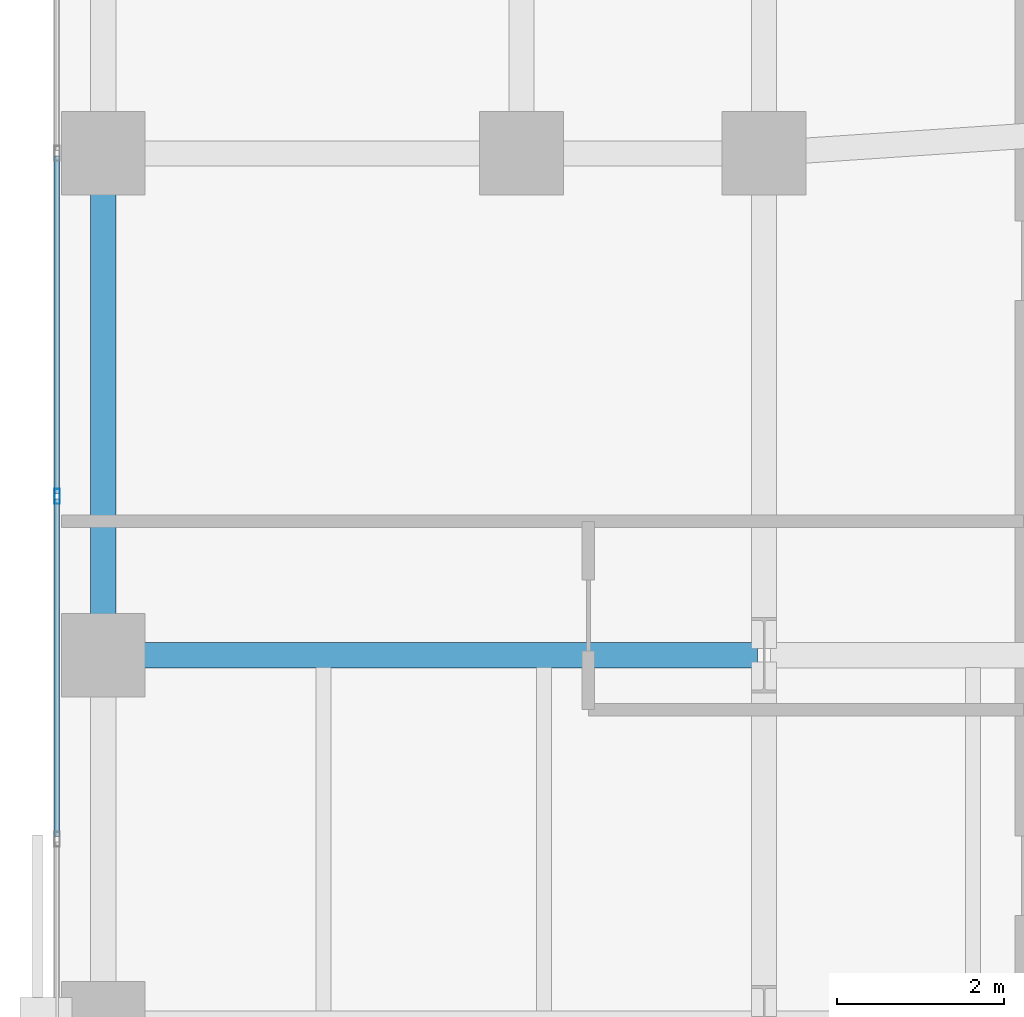
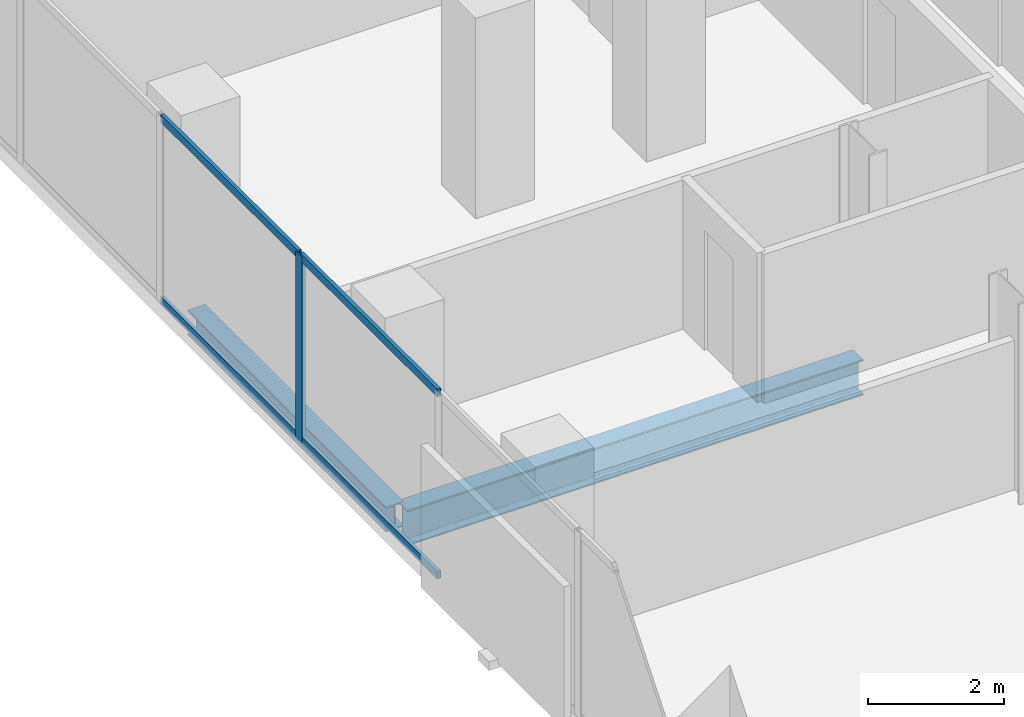
# One storey, part 8 of 32: 5 members, 2 beams, 1 element without a shape of its own.
"""IFC4 building model written with IfcOpenShell, lengths in metres."""

from ifc_helpers import new_model, si_unit, direction, frame, origin, origin_2d, place, context, subcontext, project, spatial, hollow_rectangle, i_section, extrude, material, layer, layer_set, material_profile, profile_set, type_object, element, aggregate, save


model = new_model("IFC4")

# Units and contexts
model_context = context("Model", 3, precision=1e-05, world=origin(), true_north=direction((0.0, 1.0)))
body_context = subcontext(model_context, "Body", "Model", "MODEL_VIEW")
ifc_project = project(units=[si_unit("LENGTHUNIT", "METRE"), si_unit("AREAUNIT", "SQUARE_METRE"), si_unit("VOLUMEUNIT", "CUBIC_METRE"), si_unit("PLANEANGLEUNIT", "RADIAN"), si_unit("MASSUNIT", "GRAM", prefix="KILO")], contexts=[model_context])

# Site, building, storey
site_placement = place(None, origin())
site = spatial("IfcSite", under=ifc_project, at=site_placement, CompositionType="ELEMENT")
building_placement = place(site_placement, origin())
building = spatial("IfcBuilding", under=site, at=building_placement, Name="Catumbela Crestline Tower", CompositionType="ELEMENT")
storey_placement = place(building_placement, frame((0.0, 0.0, 33.0)))
storey = spatial("IfcBuildingStorey", under=building, at=storey_placement, Name="L07", CompositionType="ELEMENT", Elevation=33.0)

# Beam
ifc_material_1 = material(Name="Structural steel S355J2", Category="steel")
ifc_material_profile_1 = material_profile(ifc_material_1, i_section(OverallWidth=0.3, OverallDepth=0.64, WebThickness=0.0135, FlangeThickness=0.026, FilletRadius=0.027, at=origin_2d()), Name="HEA 650")
ifc_profile_set_1 = profile_set([ifc_material_profile_1], Name="Structural steel S355J2")
beam_type_1 = type_object("IfcBeamType", Name="BG-HEA650", PredefinedType="BEAM", material=ifc_profile_set_1)
beam_1_placement = place(storey_placement, frame((0.68, 18.0, -0.58), z_axis=(1.0, 0.0, 0.0), x_axis=(0.0, 1.0, 0.0)))
element("IfcBeam", 1, at=beam_1_placement, inside=storey, type_object=beam_type_1, Name="L07 Beam BM-L07-WEW54", PredefinedType="BEAM", context=body_context, shape_type="SweptSolid", body=[
    extrude(i_section(OverallWidth=0.3, OverallDepth=0.64, WebThickness=0.0135, FlangeThickness=0.026, FilletRadius=0.027, at=origin_2d()), origin(), (0.0, 0.0, 1.0), 7.74),
])

# Curtain wall, member
ifc_material_2 = material(Name="Aluminium alloy AW-6060-T66", Category="aluminium")
ifc_layer = layer(ifc_material_2, 0.18, Name="Aluminium alloy AW-6060-T66")
ifc_layer_set = layer_set([ifc_layer], Name="Aluminium alloy AW-6060-T66")
curtain_wall_type = type_object("IfcCurtainWallType", Name="CWU-Z1", PredefinedType="USERDEFINED", material=ifc_layer_set)
curtain_wall_placement = place(storey_placement, origin())
curtain_wall = element("IfcCurtainWall", 2, at=curtain_wall_placement, inside=storey, type_object=curtain_wall_type, Name="L07 Unitised Curtain Wall CW-L07-E9S1", ObjectType="UNITISED", PredefinedType="USERDEFINED")
ifc_material_profile_2 = material_profile(ifc_material_2, hollow_rectangle(XDim=0.065, YDim=0.18, WallThickness=0.004, at=origin_2d()), Name="ALU 180x65x4")
ifc_profile_set_2 = profile_set([ifc_material_profile_2], Name="Aluminium alloy AW-6060-T66")
member_type_1 = type_object("IfcMemberType", Name="MUL-180X65", PredefinedType="MULLION", material=ifc_profile_set_2)
member_1_placement = place(storey_placement, frame((0.05, 19.9, 0.0), z_axis=(0.0, 0.0, 1.0), x_axis=(1.0, 0.0, 0.0)))
member_1 = element("IfcMember", 3, at=member_1_placement, type_object=member_type_1, Name="CWU-Z1 mullion 7", PredefinedType="MULLION", context=body_context, shape_type="SweptSolid", body=[
    extrude(hollow_rectangle(XDim=0.065, YDim=0.18, WallThickness=0.004, at=origin_2d()), origin(), (0.0, 0.0, 1.0), 3.33),
])

# Beam
ifc_material_profile_3 = material_profile(ifc_material_1, i_section(OverallWidth=0.3, OverallDepth=0.45, WebThickness=0.014, FlangeThickness=0.026, FilletRadius=0.027, at=origin_2d()), Name="HEB 450")
ifc_profile_set_3 = profile_set([ifc_material_profile_3], Name="Structural steel S355J2")
beam_type_2 = type_object("IfcBeamType", Name="BS-HEB450", PredefinedType="SPANDREL", material=ifc_profile_set_3)
beam_2_placement = place(storey_placement, frame((0.6, 18.08, -0.485), z_axis=(0.0, 1.0, 0.0), x_axis=(-1.0, 0.0, 0.0)))
element("IfcBeam", 4, at=beam_2_placement, inside=storey, type_object=beam_type_2, Name="L07 Spandrel SP-L07-WNS60", PredefinedType="SPANDREL", context=body_context, shape_type="SweptSolid", body=[
    extrude(i_section(OverallWidth=0.3, OverallDepth=0.45, WebThickness=0.014, FlangeThickness=0.026, FilletRadius=0.027, at=origin_2d()), origin(), (0.0, 0.0, 1.0), 5.84),
])

# Member
ifc_material_profile_4 = material_profile(ifc_material_2, hollow_rectangle(XDim=0.06, YDim=0.14, WallThickness=0.004, at=origin_2d()), Name="ALU 140x60x4")
ifc_profile_set_4 = profile_set([ifc_material_profile_4], Name="Aluminium alloy AW-6060-T66")
member_type_2 = type_object("IfcMemberType", Name="TRN-140X60", PredefinedType="USERDEFINED", material=ifc_profile_set_4)
member_2_placement = place(storey_placement, frame((0.05, 23.9675, 0.03), z_axis=(0.0, -1.0, 0.0), x_axis=(1.0, 0.0, 0.0)))
member_2 = element("IfcMember", 5, at=member_2_placement, type_object=member_type_2, Name="CWU-Z1 transom 6.1", ObjectType="TRANSOM", PredefinedType="USERDEFINED", context=body_context, shape_type="SweptSolid", body=[
    extrude(hollow_rectangle(XDim=0.06, YDim=0.14, WallThickness=0.004, at=origin_2d()), origin(), (0.0, 0.0, 1.0), 4.035),
])

member_3_placement = place(storey_placement, frame((0.05, 23.9675, 3.3), z_axis=(0.0, -1.0, 0.0), x_axis=(1.0, 0.0, 0.0)))
member_3 = element("IfcMember", 6, at=member_3_placement, type_object=member_type_2, Name="CWU-Z1 transom 6.2", ObjectType="TRANSOM", PredefinedType="USERDEFINED", context=body_context, shape_type="SweptSolid", body=[
    extrude(hollow_rectangle(XDim=0.06, YDim=0.14, WallThickness=0.004, at=origin_2d()), origin(), (0.0, 0.0, 1.0), 4.035),
])

member_4_placement = place(storey_placement, frame((0.05, 19.8675, 0.03), z_axis=(0.0, -1.0, 0.0), x_axis=(1.0, 0.0, 0.0)))
member_4 = element("IfcMember", 7, at=member_4_placement, type_object=member_type_2, Name="CWU-Z1 transom 7.1", ObjectType="TRANSOM", PredefinedType="USERDEFINED", context=body_context, shape_type="SweptSolid", body=[
    extrude(hollow_rectangle(XDim=0.06, YDim=0.14, WallThickness=0.004, at=origin_2d()), origin(), (0.0, 0.0, 1.0), 4.035),
])

member_5_placement = place(storey_placement, frame((0.05, 19.8675, 3.3), z_axis=(0.0, -1.0, 0.0), x_axis=(1.0, 0.0, 0.0)))
member_5 = element("IfcMember", 8, at=member_5_placement, type_object=member_type_2, Name="CWU-Z1 transom 7.2", ObjectType="TRANSOM", PredefinedType="USERDEFINED", context=body_context, shape_type="SweptSolid", body=[
    extrude(hollow_rectangle(XDim=0.06, YDim=0.14, WallThickness=0.004, at=origin_2d()), origin(), (0.0, 0.0, 1.0), 4.035),
])

aggregate(curtain_wall, [member_1, member_2, member_3, member_4, member_5])

save(model, "model.ifc")
